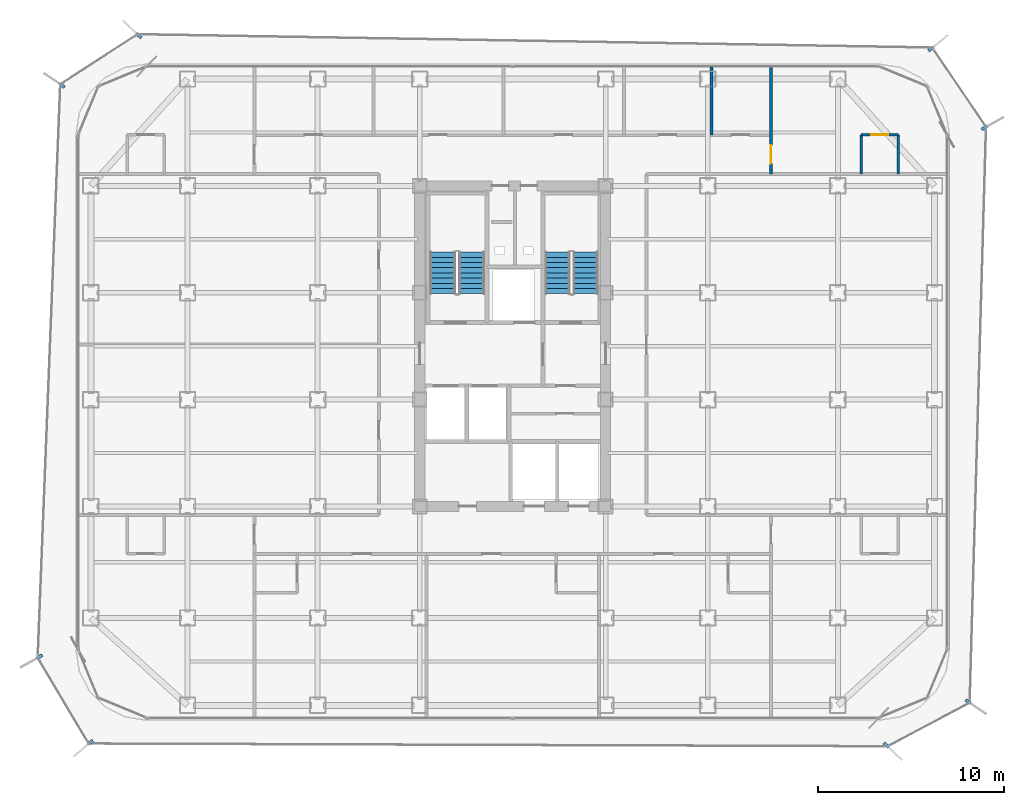
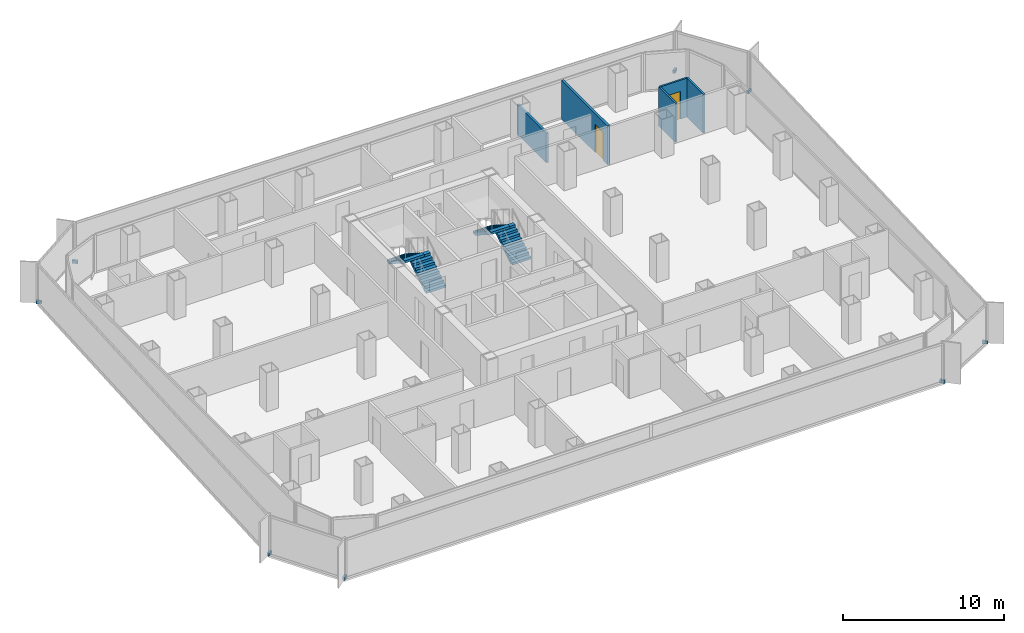
# One storey, part 18 of 21: 8 discrete accessories, 5 walls, 4 stair flights, 2 doors, 2 openings, 2 elements without a shape of their own.
"""IFC4 building model written with IfcOpenShell, lengths in metres."""

from ifc_helpers import new_model, si_unit, direction, frame, frame_2d, origin, origin_2d, place, context, subcontext, project, spatial, polyline, rectangle, outline, extrude, source, transform, mapped, material, layer, layer_set, type_object, element, fill, aggregate, save


model = new_model("IFC4")

# Units and contexts
model_context = context("Model", 3, precision=1e-05, world=origin(), true_north=direction((0.0, 1.0)))
body_context = subcontext(model_context, "Body", "Model", "MODEL_VIEW")
ifc_project = project(units=[si_unit("LENGTHUNIT", "METRE"), si_unit("AREAUNIT", "SQUARE_METRE"), si_unit("VOLUMEUNIT", "CUBIC_METRE"), si_unit("PLANEANGLEUNIT", "RADIAN"), si_unit("MASSUNIT", "GRAM", prefix="KILO")], contexts=[model_context])

# Site, building, storey
site_placement = place(None, origin())
site = spatial("IfcSite", under=ifc_project, at=site_placement, CompositionType="ELEMENT")
building_placement = place(site_placement, origin())
building = spatial("IfcBuilding", under=site, at=building_placement, Name="Kolveth Station Tower", CompositionType="ELEMENT")
storey_placement = place(building_placement, frame((0.0, 0.0, 124.699951171875)))
storey = spatial("IfcBuildingStorey", under=building, at=storey_placement, Name="L34", CompositionType="ELEMENT", Elevation=124.699951171875)

# Walls
ifc_material_1 = material(Name="Moisture-resistant gypsum partition")
ifc_layer_1 = layer(ifc_material_1, 0.135009765625)
ifc_layer_set_1 = layer_set([ifc_layer_1], Name="Moisture-resistant gypsum partition")
wall_type_1 = type_object("IfcWallType", Name="Wall_IW-135", PredefinedType="PARTITIONING", material=ifc_layer_set_1)
for number, where, z_axis, x_axis, name in (
    (1, (42.25, 29.39990234375, 0.0), (0.0, 0.0, 1.0), (0.0, 1.0, 0.0), "L34 Partition Wall WL-L34-ES2-BV1"),
    (2, (44.25, 29.39990234375, 0.0), (0.0, 0.0, 1.0), (0.0, 1.0, 0.0), "L34 Partition Wall WL-L34-ES2-BV2"),
):
    element("IfcWall", number, at=place(storey_placement, frame(where, z_axis=z_axis, x_axis=x_axis)), inside=storey, type_object=wall_type_1, Name=name, PredefinedType="PARTITIONING", context=body_context, shape_type="SweptSolid", body=[
        extrude(rectangle(XDim=2.10009765625, YDim=0.135009765625, at=frame_2d((1.050048828125, 0.0))), origin(), (0.0, 0.0, 1.0), 2.949951171875),
    ])

# Wall, opening, door
wall_1_placement = place(storey_placement, frame((42.25, 31.5, 0.0), z_axis=(0.0, 0.0, 1.0), x_axis=(1.0, 0.0, 0.0)))
wall_1 = element("IfcWall", 3, at=wall_1_placement, inside=storey, type_object=wall_type_1, Name="L34 Partition Wall WL-L34-ES2-BH", PredefinedType="PARTITIONING", context=body_context, shape_type="SweptSolid", body=[
    extrude(rectangle(XDim=2.0, YDim=0.135009765625, at=frame_2d((1.0, 0.0))), origin(), (0.0, 0.0, 1.0), 2.949951171875),
])
opening_1_placement = place(wall_1_placement, frame((0.5400390625, 0.0, 0.0)))
opening_1 = element("IfcOpeningElement", 4, at=opening_1_placement, cuts=wall_1, Name="Opening ID2", PredefinedType="OPENING", context=body_context, shape_type="SweptSolid", body=[
    extrude(rectangle(XDim=0.919921875, YDim=2.10009765625, at=frame_2d((0.4599609375, 1.050048828125))), frame((0.0, 0.077392578125, 0.0), z_axis=(0.0, -1.0, 0.0), x_axis=(1.0, 0.0, 0.0)), (0.0, 0.0, 1.0), 0.155029296875),
])
ifc_material_2 = material(Name="Moisture-resistant hardwood leaf", Category="wood")
door_type_1 = type_object("IfcDoorType", Name="Door_ID2", OperationType="NOTDEFINED", PredefinedType="DOOR", material=ifc_material_2)
door_1_placement = place(opening_1_placement, frame((0.919921875, 0.0, 0.0), z_axis=(0.0, 0.0, 1.0), x_axis=(-1.0, 0.0, 0.0)))
door_1 = element("IfcDoor", 5, at=door_1_placement, inside=storey, type_object=door_type_1, Name="L34 Hotel Guest Room ES2 En-Suite Door", OperationType="SINGLE_SWING_LEFT", OverallHeight=2.10009765625, OverallWidth=0.919921875, PredefinedType="DOOR", context=body_context, shape_type="SweptSolid", body=[
    extrude(rectangle(XDim=0.919921875, YDim=2.10009765625, at=frame_2d((0.4599609375, 1.050048828125))), frame((0.0, 0.02490234375, 0.0), z_axis=(0.0, -1.0, 0.0), x_axis=(1.0, 0.0, 0.0)), (0.0, 0.0, 1.0), 0.050048828125),
])
fill(opening_1, door_1)

ifc_material_3 = material(Name="Acoustic double-stud gypsum partition")
ifc_layer_2 = layer(ifc_material_3, 0.1650390625)
ifc_layer_set_2 = layer_set([ifc_layer_2], Name="Acoustic double-stud gypsum partition")
wall_type_2 = type_object("IfcWallType", Name="Wall_IW-165", PredefinedType="PARTITIONING", material=ifc_layer_set_2)
wall_2_placement = place(storey_placement, frame((37.39990234375, 29.39990234375, 0.0), z_axis=(0.0, 0.0, 1.0), x_axis=(0.0, 1.0, 0.0)))
wall_2 = element("IfcWall", 6, at=wall_2_placement, inside=storey, type_object=wall_type_2, Name="L34 Partition Wall WL-L34-END-EN", PredefinedType="PARTITIONING", context=body_context, shape_type="SweptSolid", body=[
    extrude(rectangle(XDim=5.739990234375, YDim=0.1650390625, at=frame_2d((2.8701171875, 0.0))), origin(), (0.0, 0.0, 1.0), 2.949951171875),
])
opening_2_placement = place(wall_2_placement, frame((0.550048828125, 0.0, 0.0)))
opening_2 = element("IfcOpeningElement", 7, at=opening_2_placement, cuts=wall_2, Name="Opening FD3", PredefinedType="OPENING", context=body_context, shape_type="SweptSolid", body=[
    extrude(rectangle(XDim=1.0, YDim=2.14990234375, at=frame_2d((0.5, 1.074951171875))), frame((0.0, 0.092529296875, 0.0), z_axis=(0.0, -1.0, 0.0), x_axis=(1.0, 0.0, 0.0)), (0.0, 0.0, 1.0), 0.18505859375),
])
ifc_material_4 = material(Name="Fire-rated hardwood leaf and aluminium frame", Category="wood")
door_type_2 = type_object("IfcDoorType", Name="Door_FD3", OperationType="NOTDEFINED", PredefinedType="DOOR", material=ifc_material_4)
door_2_placement = place(opening_2_placement, frame((1.0, 0.0, 0.0), z_axis=(0.0, 0.0, 1.0), x_axis=(-1.0, 0.0, 0.0)))
door_2 = element("IfcDoor", 8, at=door_2_placement, inside=storey, type_object=door_type_2, Name="L34 Hotel Guest Room ES2 Entrance Door", OperationType="SINGLE_SWING_RIGHT", OverallHeight=2.14990234375, OverallWidth=1.0, PredefinedType="DOOR", context=body_context, shape_type="SweptSolid", body=[
    extrude(rectangle(XDim=1.0, YDim=2.14990234375, at=frame_2d((0.5, 1.074951171875))), frame((0.0, 0.02490234375, 0.0), z_axis=(0.0, -1.0, 0.0), x_axis=(1.0, 0.0, 0.0)), (0.0, 0.0, 1.0), 0.050048828125),
])
fill(opening_2, door_2)

# Wall
wall_3_placement = place(storey_placement, frame((34.199951171875, 31.5, 0.0), z_axis=(0.0, 0.0, 1.0), x_axis=(0.0, 1.0, 0.0)))
element("IfcWall", 9, at=wall_3_placement, inside=storey, type_object=wall_type_2, Name="L34 Partition Wall WL-L34-HN-P4", PredefinedType="PARTITIONING", context=body_context, shape_type="SweptSolid", body=[
    extrude(rectangle(XDim=3.639892578125, YDim=0.1650390625, at=frame_2d((1.81982421875, 0.0))), origin(), (0.0, 0.0, 1.0), 2.2470703125),
])

# Stair, stair flights
ifc_material_5 = material(Name="Concrete C40/50", Category="concrete")
stair_type_1 = type_object("IfcStairType", Name="Stair_ST1", PredefinedType="HALF_TURN_STAIR", material=ifc_material_5)
stair_1_placement = place(storey_placement, origin())
stair_1 = element("IfcStair", 10, at=stair_1_placement, inside=storey, type_object=stair_type_1, Name="L34 Tower Exit Stair ST1", PredefinedType="HALF_TURN_STAIR")
ifc_layer_3 = layer(ifc_material_5, 0.179931640625)
ifc_layer_set_3 = layer_set([ifc_layer_3], Name="Concrete C40/50")
stair_flight_type_1 = type_object("IfcStairFlightType", Name="Flight_ST1", PredefinedType="STRAIGHT", material=ifc_layer_set_3)
stair_flight_1_placement = place(storey_placement, frame((21.300048828125, 22.949951171875, 0.0), z_axis=(0.0, 0.0, 1.0), x_axis=(0.0, 1.0, 0.0)))
stair_flight_1 = element("IfcStairFlight", 11, at=stair_flight_1_placement, type_object=stair_flight_type_1, Name="ST1 flight 1", NumberOfRisers=9, NumberOfTreads=8, PredefinedType="STRAIGHT", RiserHeight=0.177777778, TreadLength=0.28, context=body_context, shape_type="SweptSolid", body=[
    extrude(outline(polyline([(0.0, 0.0), (0.0, 0.177734375), (0.280029296875, 0.177734375), (0.280029296875, 0.35546875), (0.56005859375, 0.35546875), (0.56005859375, 0.533447265625), (0.840087890625, 0.533447265625), (0.840087890625, 0.711181640625), (1.1201171875, 0.711181640625), (1.1201171875, 0.888916015625), (1.39990234375, 0.888916015625), (1.39990234375, 1.066650390625), (1.679931640625, 1.066650390625), (1.679931640625, 1.244384765625), (1.9599609375, 1.244384765625), (1.9599609375, 1.422119140625), (2.239990234375, 1.422119140625), (2.239990234375, 1.60009765625), (2.239990234375, 1.24462890625), (0.27978515625, 0.0), (0.0, 0.0)])), frame((0.0, 0.699951171875, 0.0), z_axis=(0.0, -1.0, 0.0), x_axis=(1.0, 0.0, 0.0)), (0.0, 0.0, 1.0), 1.39990234375),
])
stair_flight_2_placement = place(storey_placement, frame((19.739990234375, 25.18994140625, 1.60009765625), z_axis=(0.0, 0.0, 1.0), x_axis=(0.0, -1.0, 0.0)))
stair_flight_2 = element("IfcStairFlight", 12, at=stair_flight_2_placement, type_object=stair_flight_type_1, Name="ST1 flight 2", NumberOfRisers=9, NumberOfTreads=8, PredefinedType="STRAIGHT", RiserHeight=0.177777778, TreadLength=0.28, context=body_context, shape_type="SweptSolid", body=[
    extrude(outline(polyline([(0.0, 0.0), (0.0, 0.177734375), (0.280029296875, 0.177734375), (0.280029296875, 0.35546875), (0.56005859375, 0.35546875), (0.56005859375, 0.533447265625), (0.840087890625, 0.533447265625), (0.840087890625, 0.711181640625), (1.1201171875, 0.711181640625), (1.1201171875, 0.888916015625), (1.39990234375, 0.888916015625), (1.39990234375, 1.066650390625), (1.679931640625, 1.066650390625), (1.679931640625, 1.244384765625), (1.9599609375, 1.244384765625), (1.9599609375, 1.422119140625), (2.239990234375, 1.422119140625), (2.239990234375, 1.60009765625), (2.239990234375, 1.24462890625), (0.27978515625, 0.0), (0.0, 0.0)])), frame((0.0, 0.699951171875, 0.0), z_axis=(0.0, -1.0, 0.0), x_axis=(1.0, 0.0, 0.0)), (0.0, 0.0, 1.0), 1.39990234375),
])
aggregate(stair_1, [stair_flight_1, stair_flight_2])

stair_type_2 = type_object("IfcStairType", Name="Stair_ST2", PredefinedType="HALF_TURN_STAIR", material=ifc_material_5)
stair_2_placement = place(storey_placement, origin())
stair_2 = element("IfcStair", 13, at=stair_2_placement, inside=storey, type_object=stair_type_2, Name="L34 Tower Exit Stair ST2", PredefinedType="HALF_TURN_STAIR")
ifc_layer_4 = layer(ifc_material_5, 0.179931640625)
ifc_layer_set_4 = layer_set([ifc_layer_4], Name="Concrete C40/50")
stair_flight_type_2 = type_object("IfcStairFlightType", Name="Flight_ST2", PredefinedType="STRAIGHT", material=ifc_layer_set_4)
stair_flight_3_placement = place(storey_placement, frame((27.425048828125, 22.949951171875, 0.0), z_axis=(0.0, 0.0, 1.0), x_axis=(0.0, 1.0, 0.0)))
stair_flight_3 = element("IfcStairFlight", 14, at=stair_flight_3_placement, type_object=stair_flight_type_2, Name="ST2 flight 1", NumberOfRisers=9, NumberOfTreads=8, PredefinedType="STRAIGHT", RiserHeight=0.177777778, TreadLength=0.28, context=body_context, shape_type="SweptSolid", body=[
    extrude(outline(polyline([(0.0, 0.0), (0.0, 0.177734375), (0.280029296875, 0.177734375), (0.280029296875, 0.35546875), (0.56005859375, 0.35546875), (0.56005859375, 0.533447265625), (0.840087890625, 0.533447265625), (0.840087890625, 0.711181640625), (1.1201171875, 0.711181640625), (1.1201171875, 0.888916015625), (1.39990234375, 0.888916015625), (1.39990234375, 1.066650390625), (1.679931640625, 1.066650390625), (1.679931640625, 1.244384765625), (1.9599609375, 1.244384765625), (1.9599609375, 1.422119140625), (2.239990234375, 1.422119140625), (2.239990234375, 1.60009765625), (2.239990234375, 1.24462890625), (0.27978515625, 0.0), (0.0, 0.0)])), frame((0.0, 0.675048828125, 0.0), z_axis=(0.0, -1.0, 0.0), x_axis=(1.0, 0.0, 0.0)), (0.0, 0.0, 1.0), 1.35009765625),
])
stair_flight_4_placement = place(storey_placement, frame((25.9150390625, 25.18994140625, 1.60009765625), z_axis=(0.0, 0.0, 1.0), x_axis=(0.0, -1.0, 0.0)))
stair_flight_4 = element("IfcStairFlight", 15, at=stair_flight_4_placement, type_object=stair_flight_type_2, Name="ST2 flight 2", NumberOfRisers=9, NumberOfTreads=8, PredefinedType="STRAIGHT", RiserHeight=0.177777778, TreadLength=0.28, context=body_context, shape_type="SweptSolid", body=[
    extrude(outline(polyline([(0.0, 0.0), (0.0, 0.177734375), (0.280029296875, 0.177734375), (0.280029296875, 0.35546875), (0.56005859375, 0.35546875), (0.56005859375, 0.533447265625), (0.840087890625, 0.533447265625), (0.840087890625, 0.711181640625), (1.1201171875, 0.711181640625), (1.1201171875, 0.888916015625), (1.39990234375, 0.888916015625), (1.39990234375, 1.066650390625), (1.679931640625, 1.066650390625), (1.679931640625, 1.244384765625), (1.9599609375, 1.244384765625), (1.9599609375, 1.422119140625), (2.239990234375, 1.422119140625), (2.239990234375, 1.60009765625), (2.239990234375, 1.24462890625), (0.27978515625, 0.0), (0.0, 0.0)])), frame((0.0, 0.675048828125, 0.0), z_axis=(0.0, -1.0, 0.0), x_axis=(1.0, 0.0, 0.0)), (0.0, 0.0, 1.0), 1.35009765625),
])
aggregate(stair_2, [stair_flight_3, stair_flight_4])

# Discrete accessories
ifc_material_6 = material(Name="Steel S355", Category="steel")
discrete_accessory_type = type_object("IfcDiscreteAccessoryType", Name="Bracket_BK1", PredefinedType="BRACKET", material=ifc_material_6)
shared_shape = source(origin(), body_context, "Body", "SweptSolid", [
    extrude(rectangle(XDim=0.35009765625, YDim=0.159912109375, at=origin_2d()), origin(), (0.0, 0.0, 1.0), 0.219970703125),
])
for number, where, z_axis, x_axis, name in (
    (16, (43.60009765625, -1.345947265625, -0.06005859375), (0.0, 0.0, 1.0), (0.726814465487, -0.686833846544, 0.0), "L34 Double-Skin Radial Tie Bracket 1"),
    (17, (48.014892578125, 0.989990234375, -0.06005859375), (0.0, 0.0, 1.0), (0.827080574275, -0.562083377852, 0.0), "L34 Double-Skin Radial Tie Bracket 2"),
    (18, (48.89111328125, 31.8798828125, -0.06005859375), (0.0, 0.0, 1.0), (0.872325392932, 0.488925770283, 0.0), "L34 Double-Skin Radial Tie Bracket 3"),
    (19, (46.011962890625, 36.1240234375, -0.06005859375), (0.0, 0.0, 1.0), (0.773065811677, 0.63432582386, 0.0), "L34 Double-Skin Radial Tie Bracket 4"),
    (20, (3.3759765625, 36.833984375, -0.06005859375), (0.0, 0.0, 1.0), (-0.723810678237, 0.689998624687, 0.0), "L34 Double-Skin Radial Tie Bracket 5"),
    (21, (-0.758056640625, 34.160888671875, -0.06005859375), (0.0, 0.0, 1.0), (-0.826687964527, 0.562660651997, 0.0), "L34 Double-Skin Radial Tie Bracket 6"),
    (22, (-1.968017578125, 3.409912109375, -0.06005859375), (0.0, 0.0, 1.0), (-0.872836916401, -0.488012005351, 0.0), "L34 Double-Skin Radial Tie Bracket 7"),
    (23, (0.77099609375, -1.202880859375, -0.06005859375), (0.0, 0.0, 1.0), (-0.769733907611, -0.638364873308, 0.0), "L34 Double-Skin Radial Tie Bracket 8"),
):
    element("IfcDiscreteAccessory", number, at=place(storey_placement, frame(where, z_axis=z_axis, x_axis=x_axis)), inside=storey, type_object=discrete_accessory_type, Name=name, PredefinedType="BRACKET", context=body_context, shape_type="MappedRepresentation", body=[
        mapped(shared_shape, transform((0.0, 0.0, 0.0), x_axis=(1.0, 0.0, 0.0), y_axis=(0.0, 1.0, 0.0), z_axis=(0.0, 0.0, 1.0), scale=1.0)),
    ])

save(model, "model.ifc")
